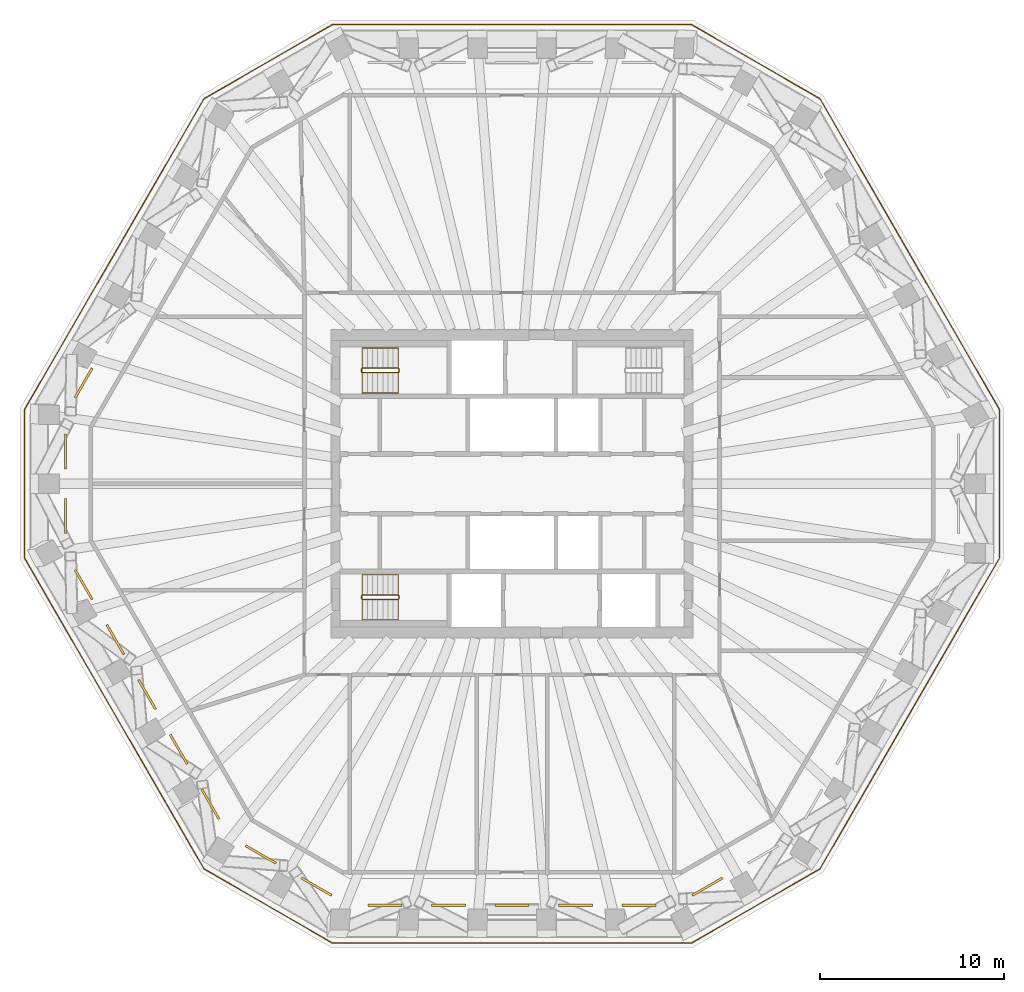
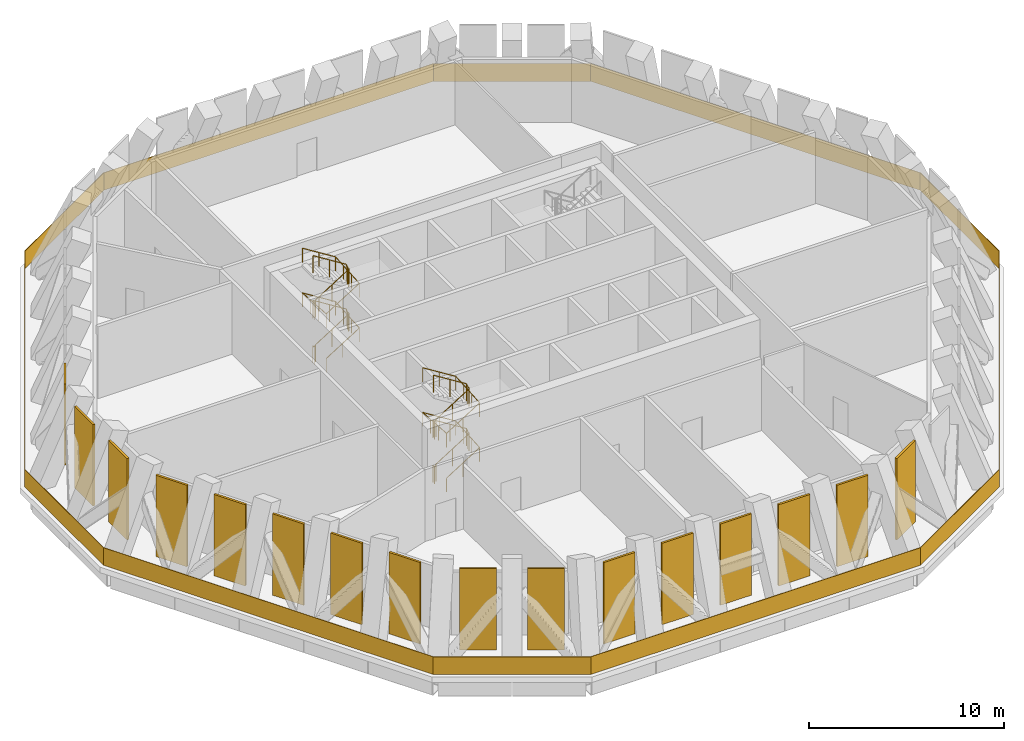
# One storey, part 7 of 8: 16 coverings, 5 railings.
"""IFC4 building model written with IfcOpenShell, lengths in metres."""

from ifc_helpers import new_model, si_unit, direction, frame, origin, origin_2d, place, context, subcontext, project, spatial, polyline, rectangle, circle, outline, extrude, material, layer, layer_set, type_object, element, save


model = new_model("IFC4")

# Units and contexts
model_context = context("Model", 3, precision=1e-05, world=origin(), true_north=direction((0.0, 1.0)))
body_context = subcontext(model_context, "Body", "Model", "MODEL_VIEW")
ifc_project = project(units=[si_unit("LENGTHUNIT", "METRE"), si_unit("AREAUNIT", "SQUARE_METRE"), si_unit("VOLUMEUNIT", "CUBIC_METRE"), si_unit("PLANEANGLEUNIT", "RADIAN"), si_unit("MASSUNIT", "GRAM", prefix="KILO")], contexts=[model_context])

# Site, building, storey
site_placement = place(None, origin())
site = spatial("IfcSite", under=ifc_project, at=site_placement, CompositionType="ELEMENT")
building_placement = place(site_placement, origin())
building = spatial("IfcBuilding", under=site, at=building_placement, Name="Frailejon Research Tower", CompositionType="ELEMENT")
storey_placement = place(building_placement, frame((0.0, 0.0, 257.39990234375)))
storey = spatial("IfcBuildingStorey", under=building, at=storey_placement, Name="L56", CompositionType="ELEMENT", Elevation=257.39990234375)

# Railing
ifc_material_1 = material(Name="Laminated glass balustrade", Category="glass")
railing_type_1 = type_object("IfcRailingType", Name="Glass guard 1100", PredefinedType="GUARDRAIL", material=ifc_material_1)
railing_1_placement = place(storey_placement, frame((26.537109375, -4.041748046875, 0.0)))
element("IfcRailing", 1, at=railing_1_placement, inside=storey, type_object=railing_type_1, Name="Plant gallery guard L56", PredefinedType="GUARDRAIL", context=body_context, shape_type="SweptSolid", body=[
    extrude(rectangle(XDim=8.08349609375, YDim=0.030029296875, at=origin_2d()), frame((0.0, 4.041748046875, 0.0), z_axis=(0.0, 0.0, 1.0), x_axis=(0.0, 1.0, 0.0)), (0.0, 0.0, 1.0), 1.10009765625),
    extrude(rectangle(XDim=19.536376953125, YDim=0.030029296875, at=origin_2d()), frame((-4.88427734375, 16.54296875, 0.0), z_axis=(0.0, 0.0, 1.0), x_axis=(-0.500005870429, 0.866022014464, 0.0)), (0.0, 0.0, 1.0), 1.10009765625),
    extrude(rectangle(XDim=8.08349609375, YDim=0.030029296875, at=origin_2d()), frame((-13.2685546875, 27.0234375, 0.0), z_axis=(0.0, 0.0, 1.0), x_axis=(-0.866011562111, 0.500023973715, 0.0)), (0.0, 0.0, 1.0), 1.10009765625),
    extrude(rectangle(XDim=19.53662109375, YDim=0.030029296875, at=origin_2d()), frame((-26.537109375, 29.04443359375, 0.0), z_axis=(0.0, 0.0, 1.0), x_axis=(-1.0, 0.0, 0.0)), (0.0, 0.0, 1.0), 1.10009765625),
    extrude(rectangle(XDim=8.08349609375, YDim=0.030029296875, at=origin_2d()), frame((-39.8056640625, 27.0234375, 0.0), z_axis=(0.0, 0.0, 1.0), x_axis=(-0.866011562111, -0.500023973715, 0.0)), (0.0, 0.0, 1.0), 1.10009765625),
    extrude(rectangle(XDim=19.536376953125, YDim=0.030029296875, at=origin_2d()), frame((-48.18994140625, 16.54296875, 0.0), z_axis=(0.0, 0.0, 1.0), x_axis=(-0.500005870429, -0.866022014464, 0.0)), (0.0, 0.0, 1.0), 1.10009765625),
    extrude(rectangle(XDim=8.08349609375, YDim=0.030029296875, at=origin_2d()), frame((-53.07421875, 4.041748046875, 0.0), z_axis=(0.0, 0.0, 1.0), x_axis=(0.0, -1.0, 0.0)), (0.0, 0.0, 1.0), 1.10009765625),
    extrude(rectangle(XDim=19.536376953125, YDim=0.030029296875, at=origin_2d()), frame((-48.18994140625, -8.45947265625, 0.0), z_axis=(0.0, 0.0, 1.0), x_axis=(0.500005870429, -0.866022014464, 0.0)), (0.0, 0.0, 1.0), 1.10009765625),
    extrude(rectangle(XDim=8.08349609375, YDim=0.030029296875, at=origin_2d()), frame((-39.8056640625, -18.93994140625, 0.0), z_axis=(0.0, 0.0, 1.0), x_axis=(0.866011562111, -0.500023973715, 0.0)), (0.0, 0.0, 1.0), 1.10009765625),
    extrude(rectangle(XDim=19.53662109375, YDim=0.030029296875, at=origin_2d()), frame((-26.537109375, -20.9609375, 0.0), z_axis=(0.0, 0.0, 1.0), x_axis=(1.0, 0.0, 0.0)), (0.0, 0.0, 1.0), 1.10009765625),
    extrude(rectangle(XDim=8.08349609375, YDim=0.030029296875, at=origin_2d()), frame((-13.2685546875, -18.93994140625, 0.0), z_axis=(0.0, 0.0, 1.0), x_axis=(0.866011562111, 0.500023973715, 0.0)), (0.0, 0.0, 1.0), 1.10009765625),
    extrude(rectangle(XDim=19.46630859375, YDim=0.030029296875, at=origin_2d()), frame((-4.90185546875, -8.48974609375, 0.0), z_axis=(0.0, 0.0, 1.0), x_axis=(0.4999982054, 0.866026439895, 0.0)), (0.0, 0.0, 1.0), 1.10009765625),
])

# Coverings
ifc_material_2 = material(Name="Anodised aluminium louvres", Category="aluminium")
ifc_layer = layer(ifc_material_2, 0.1201171875)
ifc_layer_set = layer_set([ifc_layer], Name="Plant louvre screen 120")
covering_type = type_object("IfcCoveringType", Name="Plant louvre screen 120", PredefinedType="CLADDING", material=ifc_layer_set)
covering_1_placement = place(storey_placement, frame((-23.8330078125, 4.7197265625, 0.0), z_axis=(0.499996648023, 0.86602733904, 0.0), x_axis=(-0.86602733904, 0.499996648023, 0.0)))
element("IfcCovering", 2, at=covering_1_placement, inside=storey, type_object=covering_type, Name="Plant louvre screen L56", PredefinedType="CLADDING", context=body_context, shape_type="SweptSolid", body=[
    extrude(outline(polyline([(-0.1201171875, 0.0), (0.0, 0.0), (0.0, 5.10009765625), (-0.1201171875, 5.10009765625), (-0.1201171875, 0.0)])), origin(), (0.0, 0.0, 1.0), 1.8515625),
])
for number, where, z_axis, x_axis, name in (
    (3, (-24.373779296875, 0.800048828125, 0.0), (0.0, 1.0, 0.0), (-1.0, 0.0, 0.0), "Plant louvre screen L56"),
    (4, (-24.373779296875, -2.701904296875, 0.0), (0.0, 1.0, 0.0), (-1.0, 0.0, 0.0), "Plant louvre screen L56"),
):
    element("IfcCovering", number, at=place(storey_placement, frame(where, z_axis=z_axis, x_axis=x_axis)), inside=storey, type_object=covering_type, Name=name, PredefinedType="CLADDING", context=body_context, shape_type="SweptSolid", body=[
        extrude(outline(polyline([(-0.1201171875, 0.0), (0.0, 0.0), (0.0, 5.10009765625), (-0.1201171875, 5.10009765625), (-0.1201171875, 0.0)])), origin(), (0.0, 0.0, 1.0), 1.902099609375),
    ])
for number, where, z_axis, x_axis, name in (
    (5, (-22.9072265625, -6.323486328125, 0.0), (-0.499996648023, 0.86602733904, 0.0), (-0.86602733904, -0.499996648023, 0.0), "Plant louvre screen L56"),
    (6, (-21.181396484375, -9.3125, 0.0), (-0.499996648023, 0.86602733904, 0.0), (-0.86602733904, -0.499996648023, 0.0), "Plant louvre screen L56"),
):
    element("IfcCovering", number, at=place(storey_placement, frame(where, z_axis=z_axis, x_axis=x_axis)), inside=storey, type_object=covering_type, Name=name, PredefinedType="CLADDING", context=body_context, shape_type="SweptSolid", body=[
        extrude(outline(polyline([(-0.1201171875, 0.0), (0.0, 0.0), (0.0, 5.10009765625), (-0.1201171875, 5.10009765625), (-0.1201171875, 0.0)])), origin(), (0.0, 0.0, 1.0), 1.8515625),
    ])
covering_2_placement = place(storey_placement, frame((-19.45556640625, -12.3017578125, 0.0), z_axis=(-0.500018376809, 0.866014793669, 0.0), x_axis=(-0.866014793669, -0.500018376809, 0.0)))
element("IfcCovering", 7, at=covering_2_placement, inside=storey, type_object=covering_type, Name="Plant louvre screen L56", PredefinedType="CLADDING", context=body_context, shape_type="SweptSolid", body=[
    extrude(outline(polyline([(-0.1201171875, 0.0), (0.0, 0.0), (0.0, 5.10009765625), (-0.1201171875, 5.10009765625), (-0.1201171875, 0.0)])), origin(), (0.0, 0.0, 1.0), 1.851806640625),
])
for number, where, z_axis, x_axis, name in (
    (8, (-17.729736328125, -15.291015625, 0.0), (-0.499996648023, 0.86602733904, 0.0), (-0.86602733904, -0.499996648023, 0.0), "Plant louvre screen L56"),
    (9, (-16.00390625, -18.2802734375, 0.0), (-0.499996648023, 0.86602733904, 0.0), (-0.86602733904, -0.499996648023, 0.0), "Plant louvre screen L56"),
):
    element("IfcCovering", number, at=place(storey_placement, frame(where, z_axis=z_axis, x_axis=x_axis)), inside=storey, type_object=covering_type, Name=name, PredefinedType="CLADDING", context=body_context, shape_type="SweptSolid", body=[
        extrude(outline(polyline([(-0.1201171875, 0.0), (0.0, 0.0), (0.0, 5.10009765625), (-0.1201171875, 5.10009765625), (-0.1201171875, 0.0)])), origin(), (0.0, 0.0, 1.0), 1.8515625),
    ])
for number, where, z_axis, x_axis, name in (
    (10, (-12.879638671875, -20.708251953125, 0.0), (-0.866023907216, 0.500002592124, 0.0), (-0.500002592124, -0.866023907216, 0.0), "Plant louvre screen L56"),
    (11, (-9.846923828125, -22.459228515625, 0.0), (-0.866023907216, 0.500002592124, 0.0), (-0.500002592124, -0.866023907216, 0.0), "Plant louvre screen L56"),
):
    element("IfcCovering", number, at=place(storey_placement, frame(where, z_axis=z_axis, x_axis=x_axis)), inside=storey, type_object=covering_type, Name=name, PredefinedType="CLADDING", context=body_context, shape_type="SweptSolid", body=[
        extrude(outline(polyline([(-0.1201171875, 0.0), (0.0, 0.0), (0.0, 5.10009765625), (-0.1201171875, 5.10009765625), (-0.1201171875, 0.0)])), origin(), (0.0, 0.0, 1.0), 1.902099609375),
    ])
covering_3_placement = place(storey_placement, frame((-5.9775390625, -23.0, 0.0), z_axis=(-1.0, 0.0, 0.0), x_axis=(0.0, -1.0, 0.0)))
element("IfcCovering", 12, at=covering_3_placement, inside=storey, type_object=covering_type, Name="Plant louvre screen L56", PredefinedType="CLADDING", context=body_context, shape_type="SweptSolid", body=[
    extrude(outline(polyline([(-0.1201171875, 0.0), (0.0, 0.0), (0.0, 5.10009765625), (-0.1201171875, 5.10009765625), (-0.1201171875, 0.0)])), origin(), (0.0, 0.0, 1.0), 1.8515625),
])
covering_4_placement = place(storey_placement, frame((-2.52587890625, -23.0, 0.0), z_axis=(-1.0, 0.0, 0.0), x_axis=(0.0, -1.0, 0.0)))
element("IfcCovering", 13, at=covering_4_placement, inside=storey, type_object=covering_type, Name="Plant louvre screen L56", PredefinedType="CLADDING", context=body_context, shape_type="SweptSolid", body=[
    extrude(outline(polyline([(-0.1201171875, 0.0), (0.0, 0.0), (0.0, 5.10009765625), (-0.1201171875, 5.10009765625), (-0.1201171875, 0.0)])), origin(), (0.0, 0.0, 1.0), 1.851806640625),
])
covering_5_placement = place(storey_placement, frame((0.92578125, -23.0, 0.0), z_axis=(-1.0, 0.0, 0.0), x_axis=(0.0, -1.0, 0.0)))
element("IfcCovering", 14, at=covering_5_placement, inside=storey, type_object=covering_type, Name="Plant louvre screen L56", PredefinedType="CLADDING", context=body_context, shape_type="SweptSolid", body=[
    extrude(outline(polyline([(-0.1201171875, 0.0), (0.0, 0.0), (0.0, 5.10009765625), (-0.1201171875, 5.10009765625), (-0.1201171875, 0.0)])), origin(), (0.0, 0.0, 1.0), 1.8515625),
])
covering_6_placement = place(storey_placement, frame((4.37744140625, -23.0, 0.0), z_axis=(-1.0, 0.0, 0.0), x_axis=(0.0, -1.0, 0.0)))
element("IfcCovering", 15, at=covering_6_placement, inside=storey, type_object=covering_type, Name="Plant louvre screen L56", PredefinedType="CLADDING", context=body_context, shape_type="SweptSolid", body=[
    extrude(outline(polyline([(-0.1201171875, 0.0), (0.0, 0.0), (0.0, 5.10009765625), (-0.1201171875, 5.10009765625), (-0.1201171875, 0.0)])), origin(), (0.0, 0.0, 1.0), 1.851806640625),
])
covering_7_placement = place(storey_placement, frame((7.8291015625, -23.0, 0.0), z_axis=(-1.0, 0.0, 0.0), x_axis=(0.0, -1.0, 0.0)))
element("IfcCovering", 16, at=covering_7_placement, inside=storey, type_object=covering_type, Name="Plant louvre screen L56", PredefinedType="CLADDING", context=body_context, shape_type="SweptSolid", body=[
    extrude(outline(polyline([(-0.1201171875, 0.0), (0.0, 0.0), (0.0, 5.10009765625), (-0.1201171875, 5.10009765625), (-0.1201171875, 0.0)])), origin(), (0.0, 0.0, 1.0), 1.8515625),
])
covering_8_placement = place(storey_placement, frame((11.494140625, -21.50830078125, 0.0), z_axis=(-0.866023907216, -0.500002592124, 0.0), x_axis=(0.500002592124, -0.866023907216, 0.0)))
element("IfcCovering", 17, at=covering_8_placement, inside=storey, type_object=covering_type, Name="Plant louvre screen L56", PredefinedType="CLADDING", context=body_context, shape_type="SweptSolid", body=[
    extrude(outline(polyline([(-0.1201171875, 0.0), (0.0, 0.0), (0.0, 5.10009765625), (-0.1201171875, 5.10009765625), (-0.1201171875, 0.0)])), origin(), (0.0, 0.0, 1.0), 1.902099609375),
])

# Railings
ifc_material_3 = material(Name="Stainless steel", Category="steel")
railing_type_2 = type_object("IfcRailingType", Name="Stair guard 1100", PredefinedType="GUARDRAIL", material=ifc_material_3)
railing_2_placement = place(storey_placement, frame((-8.199951171875, 6.25, 0.0)))
element("IfcRailing", 18, at=railing_2_placement, inside=storey, type_object=railing_type_2, Name="L56 ST1 stair guard 1", PredefinedType="GUARDRAIL", context=body_context, shape_type="SweptSolid", body=[
    extrude(circle(Radius=0.02392578125, at=origin_2d()), frame((0.0, 0.0, 1.076171875), z_axis=(0.0, -1.0, 0.0), x_axis=(1.0, 0.0, 0.0)), (0.0, 0.0, 1.0), 0.14990234375),
    extrude(circle(Radius=0.02392578125, at=origin_2d()), frame((0.0, -0.14990234375, 1.076171875), z_axis=(0.265065253269, -0.265065253269, 0.927081885822), x_axis=(0.707106781187, 0.707106781187, 0.0)), (0.0, 0.0, 1.0), 0.188720703125),
    extrude(circle(Radius=0.02392578125, at=origin_2d()), frame((0.050048828125, -0.199951171875, 1.2509765625), z_axis=(0.847974566722, 0.0, 0.530036917764), x_axis=(0.0, 1.0, 0.0)), (0.0, 0.0, 1.0), 2.311279296875),
    extrude(circle(Radius=0.02392578125, at=origin_2d()), frame((2.010009765625, -0.199951171875, 2.47607421875), z_axis=(0.707106781187, 0.707106781187, 0.0), x_axis=(-0.707106781187, 0.707106781187, 0.0)), (0.0, 0.0, 1.0), 0.07080078125),
    extrude(circle(Radius=0.02392578125, at=origin_2d()), frame((2.06005859375, -0.14990234375, 2.47607421875), z_axis=(0.0, 1.0, 0.0), x_axis=(-1.0, 0.0, 0.0)), (0.0, 0.0, 1.0), 0.14990234375),
    extrude(circle(Radius=0.02392578125, at=origin_2d()), frame((2.06005859375, 0.0, 2.47607421875), z_axis=(-0.265065253269, 0.265065253269, 0.927081885822), x_axis=(-0.707106781187, -0.707106781187, 0.0)), (0.0, 0.0, 1.0), 0.188720703125),
    extrude(circle(Radius=0.02392578125, at=origin_2d()), frame((2.010009765625, 0.050048828125, 2.6513671875), z_axis=(-0.848022040916, 0.0, 0.529960959053), x_axis=(0.0, -1.0, 0.0)), (0.0, 0.0, 1.0), 2.311279296875),
    extrude(circle(Radius=0.02392578125, at=origin_2d()), frame((0.050048828125, 0.050048828125, 3.8759765625), z_axis=(-0.707106781187, -0.707106781187, 0.0), x_axis=(0.707106781187, -0.707106781187, 0.0)), (0.0, 0.0, 1.0), 0.07080078125),
    extrude(circle(Radius=0.02392578125, at=origin_2d()), frame((0.0, 0.0, 3.8759765625), z_axis=(0.0, -1.0, 0.0), x_axis=(1.0, 0.0, 0.0)), (0.0, 0.0, 1.0), 0.14990234375),
    extrude(circle(Radius=0.02392578125, at=origin_2d()), frame((0.0, -0.14990234375, 3.8759765625), z_axis=(0.265065253269, -0.265065253269, 0.927081885822), x_axis=(0.707106781187, 0.707106781187, 0.0)), (0.0, 0.0, 1.0), 0.188720703125),
    extrude(circle(Radius=0.02392578125, at=origin_2d()), frame((0.050048828125, -0.199951171875, 4.05126953125), z_axis=(0.847974566722, 0.0, 0.530036917764), x_axis=(0.0, 1.0, 0.0)), (0.0, 0.0, 1.0), 2.311279296875),
    extrude(circle(Radius=0.02392578125, at=origin_2d()), frame((2.010009765625, -0.199951171875, 5.2763671875), z_axis=(0.707106781187, 0.707106781187, 0.0), x_axis=(-0.707106781187, 0.707106781187, 0.0)), (0.0, 0.0, 1.0), 0.07080078125),
    extrude(circle(Radius=0.02392578125, at=origin_2d()), frame((2.06005859375, -0.14990234375, 5.2763671875), z_axis=(0.0, 1.0, 0.0), x_axis=(-1.0, 0.0, 0.0)), (0.0, 0.0, 1.0), 0.14990234375),
    extrude(circle(Radius=0.02392578125, at=origin_2d()), frame((2.06005859375, 0.0, 5.2763671875), z_axis=(-0.265383341853, 0.265383341853, 0.926899867156), x_axis=(-0.707106781187, -0.707106781187, 0.0)), (0.0, 0.0, 1.0), 0.1884765625),
    extrude(circle(Radius=0.02392578125, at=origin_2d()), frame((2.010009765625, 0.050048828125, 5.451171875), z_axis=(-0.847974566722, 0.0, 0.530036917764), x_axis=(0.0, -1.0, 0.0)), (0.0, 0.0, 1.0), 2.311279296875),
    extrude(circle(Radius=0.02099609375, at=origin_2d()), origin(), (0.0, 0.0, 1.0), 1.052001953125),
    extrude(circle(Radius=0.02099609375, at=origin_2d()), frame((0.0, -0.14990234375, 0.0)), (0.0, 0.0, 1.0), 1.052001953125),
    extrude(circle(Radius=0.02099609375, at=origin_2d()), frame((0.050048828125, -0.199951171875, 0.175048828125)), (0.0, 0.0, 1.0), 1.052001953125),
    extrude(circle(Radius=0.02099609375, at=origin_2d()), frame((1.030029296875, -0.199951171875, 0.78759765625)), (0.0, 0.0, 1.0), 1.052001953125),
    extrude(circle(Radius=0.02099609375, at=origin_2d()), frame((2.010009765625, -0.199951171875, 1.400146484375)), (0.0, 0.0, 1.0), 1.052001953125),
    extrude(circle(Radius=0.02099609375, at=origin_2d()), frame((2.06005859375, -0.14990234375, 1.400146484375)), (0.0, 0.0, 1.0), 1.052001953125),
    extrude(circle(Radius=0.02099609375, at=origin_2d()), frame((2.06005859375, 0.0, 1.400146484375)), (0.0, 0.0, 1.0), 1.052001953125),
    extrude(circle(Radius=0.02099609375, at=origin_2d()), frame((2.010009765625, 0.050048828125, 1.5751953125)), (0.0, 0.0, 1.0), 1.052001953125),
    extrude(circle(Radius=0.02099609375, at=origin_2d()), frame((1.030029296875, 0.050048828125, 2.1875)), (0.0, 0.0, 1.0), 1.052001953125),
    extrude(circle(Radius=0.02099609375, at=origin_2d()), frame((0.050048828125, 0.050048828125, 2.800048828125)), (0.0, 0.0, 1.0), 1.052001953125),
    extrude(circle(Radius=0.02099609375, at=origin_2d()), frame((0.0, 0.0, 2.800048828125)), (0.0, 0.0, 1.0), 1.052001953125),
    extrude(circle(Radius=0.02099609375, at=origin_2d()), frame((0.0, -0.14990234375, 2.800048828125)), (0.0, 0.0, 1.0), 1.052001953125),
    extrude(circle(Radius=0.02099609375, at=origin_2d()), frame((0.050048828125, -0.199951171875, 2.97509765625)), (0.0, 0.0, 1.0), 1.052001953125),
    extrude(circle(Radius=0.02099609375, at=origin_2d()), frame((1.030029296875, -0.199951171875, 3.587646484375)), (0.0, 0.0, 1.0), 1.052001953125),
    extrude(circle(Radius=0.02099609375, at=origin_2d()), frame((2.010009765625, -0.199951171875, 4.2001953125)), (0.0, 0.0, 1.0), 1.052001953125),
    extrude(circle(Radius=0.02099609375, at=origin_2d()), frame((2.06005859375, -0.14990234375, 4.2001953125)), (0.0, 0.0, 1.0), 1.052001953125),
    extrude(circle(Radius=0.02099609375, at=origin_2d()), frame((2.06005859375, 0.0, 4.2001953125)), (0.0, 0.0, 1.0), 1.052001953125),
    extrude(circle(Radius=0.02099609375, at=origin_2d()), frame((2.010009765625, 0.050048828125, 4.375)), (0.0, 0.0, 1.0), 1.052001953125),
    extrude(circle(Radius=0.02099609375, at=origin_2d()), frame((1.030029296875, 0.050048828125, 4.987548828125)), (0.0, 0.0, 1.0), 1.052001953125),
    extrude(circle(Radius=0.02099609375, at=origin_2d()), frame((0.050048828125, 0.050048828125, 5.60009765625)), (0.0, 0.0, 1.0), 1.052001953125),
])
railing_3_placement = place(storey_placement, frame((-8.199951171875, -6.10009765625, 0.0)))
element("IfcRailing", 19, at=railing_3_placement, inside=storey, type_object=railing_type_2, Name="L56 ST2 stair guard 1", PredefinedType="GUARDRAIL", context=body_context, shape_type="SweptSolid", body=[
    extrude(circle(Radius=0.02392578125, at=origin_2d()), frame((0.0, 0.0, 1.076171875), z_axis=(0.0, -1.0, 0.0), x_axis=(1.0, 0.0, 0.0)), (0.0, 0.0, 1.0), 0.14990234375),
    extrude(circle(Radius=0.02392578125, at=origin_2d()), frame((0.0, -0.14990234375, 1.076171875), z_axis=(0.265065253269, -0.265065253269, 0.927081885822), x_axis=(0.707106781187, 0.707106781187, 0.0)), (0.0, 0.0, 1.0), 0.188720703125),
    extrude(circle(Radius=0.02392578125, at=origin_2d()), frame((0.050048828125, -0.199951171875, 1.2509765625), z_axis=(0.847974566722, 0.0, 0.530036917764), x_axis=(0.0, 1.0, 0.0)), (0.0, 0.0, 1.0), 2.311279296875),
    extrude(circle(Radius=0.02392578125, at=origin_2d()), frame((2.010009765625, -0.199951171875, 2.47607421875), z_axis=(0.707106781187, 0.707106781187, 0.0), x_axis=(-0.707106781187, 0.707106781187, 0.0)), (0.0, 0.0, 1.0), 0.07080078125),
    extrude(circle(Radius=0.02392578125, at=origin_2d()), frame((2.06005859375, -0.14990234375, 2.47607421875), z_axis=(0.0, 1.0, 0.0), x_axis=(-1.0, 0.0, 0.0)), (0.0, 0.0, 1.0), 0.14990234375),
    extrude(circle(Radius=0.02392578125, at=origin_2d()), frame((2.06005859375, 0.0, 2.47607421875), z_axis=(-0.265065253269, 0.265065253269, 0.927081885822), x_axis=(-0.707106781187, -0.707106781187, 0.0)), (0.0, 0.0, 1.0), 0.188720703125),
    extrude(circle(Radius=0.02392578125, at=origin_2d()), frame((2.010009765625, 0.050048828125, 2.6513671875), z_axis=(-0.848022040916, 0.0, 0.529960959053), x_axis=(0.0, -1.0, 0.0)), (0.0, 0.0, 1.0), 2.311279296875),
    extrude(circle(Radius=0.02392578125, at=origin_2d()), frame((0.050048828125, 0.050048828125, 3.8759765625), z_axis=(-0.707106781187, -0.707106781187, 0.0), x_axis=(0.707106781187, -0.707106781187, 0.0)), (0.0, 0.0, 1.0), 0.07080078125),
    extrude(circle(Radius=0.02392578125, at=origin_2d()), frame((0.0, 0.0, 3.8759765625), z_axis=(0.0, -1.0, 0.0), x_axis=(1.0, 0.0, 0.0)), (0.0, 0.0, 1.0), 0.14990234375),
    extrude(circle(Radius=0.02392578125, at=origin_2d()), frame((0.0, -0.14990234375, 3.8759765625), z_axis=(0.265065253269, -0.265065253269, 0.927081885822), x_axis=(0.707106781187, 0.707106781187, 0.0)), (0.0, 0.0, 1.0), 0.188720703125),
    extrude(circle(Radius=0.02392578125, at=origin_2d()), frame((0.050048828125, -0.199951171875, 4.05126953125), z_axis=(0.847974566722, 0.0, 0.530036917764), x_axis=(0.0, 1.0, 0.0)), (0.0, 0.0, 1.0), 2.311279296875),
    extrude(circle(Radius=0.02392578125, at=origin_2d()), frame((2.010009765625, -0.199951171875, 5.2763671875), z_axis=(0.707106781187, 0.707106781187, 0.0), x_axis=(-0.707106781187, 0.707106781187, 0.0)), (0.0, 0.0, 1.0), 0.07080078125),
    extrude(circle(Radius=0.02392578125, at=origin_2d()), frame((2.06005859375, -0.14990234375, 5.2763671875), z_axis=(0.0, 1.0, 0.0), x_axis=(-1.0, 0.0, 0.0)), (0.0, 0.0, 1.0), 0.14990234375),
    extrude(circle(Radius=0.02392578125, at=origin_2d()), frame((2.06005859375, 0.0, 5.2763671875), z_axis=(-0.265383341853, 0.265383341853, 0.926899867156), x_axis=(-0.707106781187, -0.707106781187, 0.0)), (0.0, 0.0, 1.0), 0.1884765625),
    extrude(circle(Radius=0.02392578125, at=origin_2d()), frame((2.010009765625, 0.050048828125, 5.451171875), z_axis=(-0.847974566722, 0.0, 0.530036917764), x_axis=(0.0, -1.0, 0.0)), (0.0, 0.0, 1.0), 2.311279296875),
    extrude(circle(Radius=0.02099609375, at=origin_2d()), origin(), (0.0, 0.0, 1.0), 1.052001953125),
    extrude(circle(Radius=0.02099609375, at=origin_2d()), frame((0.0, -0.14990234375, 0.0)), (0.0, 0.0, 1.0), 1.052001953125),
    extrude(circle(Radius=0.02099609375, at=origin_2d()), frame((0.050048828125, -0.199951171875, 0.175048828125)), (0.0, 0.0, 1.0), 1.052001953125),
    extrude(circle(Radius=0.02099609375, at=origin_2d()), frame((1.030029296875, -0.199951171875, 0.78759765625)), (0.0, 0.0, 1.0), 1.052001953125),
    extrude(circle(Radius=0.02099609375, at=origin_2d()), frame((2.010009765625, -0.199951171875, 1.400146484375)), (0.0, 0.0, 1.0), 1.052001953125),
    extrude(circle(Radius=0.02099609375, at=origin_2d()), frame((2.06005859375, -0.14990234375, 1.400146484375)), (0.0, 0.0, 1.0), 1.052001953125),
    extrude(circle(Radius=0.02099609375, at=origin_2d()), frame((2.06005859375, 0.0, 1.400146484375)), (0.0, 0.0, 1.0), 1.052001953125),
    extrude(circle(Radius=0.02099609375, at=origin_2d()), frame((2.010009765625, 0.050048828125, 1.5751953125)), (0.0, 0.0, 1.0), 1.052001953125),
    extrude(circle(Radius=0.02099609375, at=origin_2d()), frame((1.030029296875, 0.050048828125, 2.1875)), (0.0, 0.0, 1.0), 1.052001953125),
    extrude(circle(Radius=0.02099609375, at=origin_2d()), frame((0.050048828125, 0.050048828125, 2.800048828125)), (0.0, 0.0, 1.0), 1.052001953125),
    extrude(circle(Radius=0.02099609375, at=origin_2d()), frame((0.0, 0.0, 2.800048828125)), (0.0, 0.0, 1.0), 1.052001953125),
    extrude(circle(Radius=0.02099609375, at=origin_2d()), frame((0.0, -0.14990234375, 2.800048828125)), (0.0, 0.0, 1.0), 1.052001953125),
    extrude(circle(Radius=0.02099609375, at=origin_2d()), frame((0.050048828125, -0.199951171875, 2.97509765625)), (0.0, 0.0, 1.0), 1.052001953125),
    extrude(circle(Radius=0.02099609375, at=origin_2d()), frame((1.030029296875, -0.199951171875, 3.587646484375)), (0.0, 0.0, 1.0), 1.052001953125),
    extrude(circle(Radius=0.02099609375, at=origin_2d()), frame((2.010009765625, -0.199951171875, 4.2001953125)), (0.0, 0.0, 1.0), 1.052001953125),
    extrude(circle(Radius=0.02099609375, at=origin_2d()), frame((2.06005859375, -0.14990234375, 4.2001953125)), (0.0, 0.0, 1.0), 1.052001953125),
    extrude(circle(Radius=0.02099609375, at=origin_2d()), frame((2.06005859375, 0.0, 4.2001953125)), (0.0, 0.0, 1.0), 1.052001953125),
    extrude(circle(Radius=0.02099609375, at=origin_2d()), frame((2.010009765625, 0.050048828125, 4.375)), (0.0, 0.0, 1.0), 1.052001953125),
    extrude(circle(Radius=0.02099609375, at=origin_2d()), frame((1.030029296875, 0.050048828125, 4.987548828125)), (0.0, 0.0, 1.0), 1.052001953125),
    extrude(circle(Radius=0.02099609375, at=origin_2d()), frame((0.050048828125, 0.050048828125, 5.60009765625)), (0.0, 0.0, 1.0), 1.052001953125),
])
ifc_material_4 = material(Name="Stainless steel", Category="steel")
railing_type_3 = type_object("IfcRailingType", Name="Stair handrail 900", PredefinedType="HANDRAIL", material=ifc_material_4)
railing_4_placement = place(storey_placement, frame((-8.14990234375, 4.949951171875, 0.175048828125)))
element("IfcRailing", 20, at=railing_4_placement, inside=storey, type_object=railing_type_3, Name="L56 ST1 stair handrail 1", PredefinedType="HANDRAIL", context=body_context, shape_type="SweptSolid", body=[
    extrude(circle(Radius=0.02392578125, at=origin_2d()), frame((0.0, 0.0, 0.8759765625), z_axis=(0.847974566722, 0.0, 0.530036917764), x_axis=(0.0, 1.0, 0.0)), (0.0, 0.0, 1.0), 2.311279296875),
    extrude(circle(Radius=0.02392578125, at=origin_2d()), frame((1.9599609375, 0.0, 2.10107421875), z_axis=(0.0, 0.997457185933, 0.071268241387), x_axis=(-1.0, 0.0, 0.0)), (0.0, 0.0, 1.0), 2.456298828125),
    extrude(circle(Radius=0.02392578125, at=origin_2d()), frame((1.9599609375, 2.449951171875, 2.27587890625), z_axis=(-0.848022040916, 0.0, 0.529960959053), x_axis=(0.0, -1.0, 0.0)), (0.0, 0.0, 1.0), 2.311279296875),
    extrude(circle(Radius=0.02392578125, at=origin_2d()), frame((0.0, 2.449951171875, 3.5009765625), z_axis=(0.0, -0.997457185933, 0.071268241387), x_axis=(1.0, 0.0, 0.0)), (0.0, 0.0, 1.0), 2.456298828125),
    extrude(circle(Radius=0.02392578125, at=origin_2d()), frame((0.0, 0.0, 3.67578125), z_axis=(0.847974566722, 0.0, 0.530036917764), x_axis=(0.0, 1.0, 0.0)), (0.0, 0.0, 1.0), 2.311279296875),
    extrude(circle(Radius=0.02392578125, at=origin_2d()), frame((1.9599609375, 0.0, 4.90087890625), z_axis=(0.0, 0.997464246976, 0.071169347368), x_axis=(-1.0, 0.0, 0.0)), (0.0, 0.0, 1.0), 2.456298828125),
    extrude(circle(Radius=0.02392578125, at=origin_2d()), frame((1.9599609375, 2.449951171875, 5.07568359375), z_axis=(-0.847974566722, 0.0, 0.530036917764), x_axis=(0.0, -1.0, 0.0)), (0.0, 0.0, 1.0), 2.311279296875),
    extrude(circle(Radius=0.02099609375, at=origin_2d()), origin(), (0.0, 0.0, 1.0), 0.851806640625),
    extrude(circle(Radius=0.02099609375, at=origin_2d()), frame((0.97998046875, 0.0, 0.612548828125)), (0.0, 0.0, 1.0), 0.851806640625),
    extrude(circle(Radius=0.02099609375, at=origin_2d()), frame((1.9599609375, 0.0, 1.22509765625)), (0.0, 0.0, 1.0), 0.851806640625),
    extrude(circle(Radius=0.02099609375, at=origin_2d()), frame((1.9599609375, 0.816650390625, 1.283447265625)), (0.0, 0.0, 1.0), 0.851806640625),
    extrude(circle(Radius=0.02099609375, at=origin_2d()), frame((1.9599609375, 1.63330078125, 1.341796875)), (0.0, 0.0, 1.0), 0.851806640625),
    extrude(circle(Radius=0.02099609375, at=origin_2d()), frame((1.9599609375, 2.449951171875, 1.400146484375)), (0.0, 0.0, 1.0), 0.851806640625),
    extrude(circle(Radius=0.02099609375, at=origin_2d()), frame((0.97998046875, 2.449951171875, 2.0126953125)), (0.0, 0.0, 1.0), 0.851806640625),
    extrude(circle(Radius=0.02099609375, at=origin_2d()), frame((0.0, 2.449951171875, 2.625)), (0.0, 0.0, 1.0), 0.851806640625),
    extrude(circle(Radius=0.02099609375, at=origin_2d()), frame((0.0, 1.63330078125, 2.683349609375)), (0.0, 0.0, 1.0), 0.851806640625),
    extrude(circle(Radius=0.02099609375, at=origin_2d()), frame((0.0, 0.816650390625, 2.74169921875)), (0.0, 0.0, 1.0), 0.851806640625),
    extrude(circle(Radius=0.02099609375, at=origin_2d()), frame((0.0, 0.0, 2.800048828125)), (0.0, 0.0, 1.0), 0.851806640625),
    extrude(circle(Radius=0.02099609375, at=origin_2d()), frame((0.97998046875, 0.0, 3.41259765625)), (0.0, 0.0, 1.0), 0.851806640625),
    extrude(circle(Radius=0.02099609375, at=origin_2d()), frame((1.9599609375, 0.0, 4.025146484375)), (0.0, 0.0, 1.0), 0.851806640625),
    extrude(circle(Radius=0.02099609375, at=origin_2d()), frame((1.9599609375, 0.816650390625, 4.08349609375)), (0.0, 0.0, 1.0), 0.851806640625),
    extrude(circle(Radius=0.02099609375, at=origin_2d()), frame((1.9599609375, 1.63330078125, 4.1416015625)), (0.0, 0.0, 1.0), 0.851806640625),
    extrude(circle(Radius=0.02099609375, at=origin_2d()), frame((1.9599609375, 2.449951171875, 4.199951171875)), (0.0, 0.0, 1.0), 0.851806640625),
    extrude(circle(Radius=0.02099609375, at=origin_2d()), frame((0.97998046875, 2.449951171875, 4.8125)), (0.0, 0.0, 1.0), 0.851806640625),
    extrude(circle(Radius=0.02099609375, at=origin_2d()), frame((0.0, 2.449951171875, 5.425048828125)), (0.0, 0.0, 1.0), 0.851806640625),
])
railing_5_placement = place(storey_placement, frame((-8.14990234375, -7.39990234375, 0.175048828125)))
element("IfcRailing", 21, at=railing_5_placement, inside=storey, type_object=railing_type_3, Name="L56 ST2 stair handrail 1", PredefinedType="HANDRAIL", context=body_context, shape_type="SweptSolid", body=[
    extrude(circle(Radius=0.02392578125, at=origin_2d()), frame((0.0, 0.0, 0.8759765625), z_axis=(0.847974566722, 0.0, 0.530036917764), x_axis=(0.0, 1.0, 0.0)), (0.0, 0.0, 1.0), 2.311279296875),
    extrude(circle(Radius=0.02392578125, at=origin_2d()), frame((1.9599609375, 0.0, 2.10107421875), z_axis=(0.0, 0.997457185933, 0.071268241387), x_axis=(-1.0, 0.0, 0.0)), (0.0, 0.0, 1.0), 2.456298828125),
    extrude(circle(Radius=0.02392578125, at=origin_2d()), frame((1.9599609375, 2.449951171875, 2.27587890625), z_axis=(-0.848022040916, 0.0, 0.529960959053), x_axis=(0.0, -1.0, 0.0)), (0.0, 0.0, 1.0), 2.311279296875),
    extrude(circle(Radius=0.02392578125, at=origin_2d()), frame((0.0, 2.449951171875, 3.5009765625), z_axis=(0.0, -0.997457185933, 0.071268241387), x_axis=(1.0, 0.0, 0.0)), (0.0, 0.0, 1.0), 2.456298828125),
    extrude(circle(Radius=0.02392578125, at=origin_2d()), frame((0.0, 0.0, 3.67578125), z_axis=(0.847974566722, 0.0, 0.530036917764), x_axis=(0.0, 1.0, 0.0)), (0.0, 0.0, 1.0), 2.311279296875),
    extrude(circle(Radius=0.02392578125, at=origin_2d()), frame((1.9599609375, 0.0, 4.90087890625), z_axis=(0.0, 0.997464246976, 0.071169347368), x_axis=(-1.0, 0.0, 0.0)), (0.0, 0.0, 1.0), 2.456298828125),
    extrude(circle(Radius=0.02392578125, at=origin_2d()), frame((1.9599609375, 2.449951171875, 5.07568359375), z_axis=(-0.847974566722, 0.0, 0.530036917764), x_axis=(0.0, -1.0, 0.0)), (0.0, 0.0, 1.0), 2.311279296875),
    extrude(circle(Radius=0.02099609375, at=origin_2d()), origin(), (0.0, 0.0, 1.0), 0.851806640625),
    extrude(circle(Radius=0.02099609375, at=origin_2d()), frame((0.97998046875, 0.0, 0.612548828125)), (0.0, 0.0, 1.0), 0.851806640625),
    extrude(circle(Radius=0.02099609375, at=origin_2d()), frame((1.9599609375, 0.0, 1.22509765625)), (0.0, 0.0, 1.0), 0.851806640625),
    extrude(circle(Radius=0.02099609375, at=origin_2d()), frame((1.9599609375, 0.816650390625, 1.283447265625)), (0.0, 0.0, 1.0), 0.851806640625),
    extrude(circle(Radius=0.02099609375, at=origin_2d()), frame((1.9599609375, 1.63330078125, 1.341796875)), (0.0, 0.0, 1.0), 0.851806640625),
    extrude(circle(Radius=0.02099609375, at=origin_2d()), frame((1.9599609375, 2.449951171875, 1.400146484375)), (0.0, 0.0, 1.0), 0.851806640625),
    extrude(circle(Radius=0.02099609375, at=origin_2d()), frame((0.97998046875, 2.449951171875, 2.0126953125)), (0.0, 0.0, 1.0), 0.851806640625),
    extrude(circle(Radius=0.02099609375, at=origin_2d()), frame((0.0, 2.449951171875, 2.625)), (0.0, 0.0, 1.0), 0.851806640625),
    extrude(circle(Radius=0.02099609375, at=origin_2d()), frame((0.0, 1.63330078125, 2.683349609375)), (0.0, 0.0, 1.0), 0.851806640625),
    extrude(circle(Radius=0.02099609375, at=origin_2d()), frame((0.0, 0.816650390625, 2.74169921875)), (0.0, 0.0, 1.0), 0.851806640625),
    extrude(circle(Radius=0.02099609375, at=origin_2d()), frame((0.0, 0.0, 2.800048828125)), (0.0, 0.0, 1.0), 0.851806640625),
    extrude(circle(Radius=0.02099609375, at=origin_2d()), frame((0.97998046875, 0.0, 3.41259765625)), (0.0, 0.0, 1.0), 0.851806640625),
    extrude(circle(Radius=0.02099609375, at=origin_2d()), frame((1.9599609375, 0.0, 4.025146484375)), (0.0, 0.0, 1.0), 0.851806640625),
    extrude(circle(Radius=0.02099609375, at=origin_2d()), frame((1.9599609375, 0.816650390625, 4.08349609375)), (0.0, 0.0, 1.0), 0.851806640625),
    extrude(circle(Radius=0.02099609375, at=origin_2d()), frame((1.9599609375, 1.63330078125, 4.1416015625)), (0.0, 0.0, 1.0), 0.851806640625),
    extrude(circle(Radius=0.02099609375, at=origin_2d()), frame((1.9599609375, 2.449951171875, 4.199951171875)), (0.0, 0.0, 1.0), 0.851806640625),
    extrude(circle(Radius=0.02099609375, at=origin_2d()), frame((0.97998046875, 2.449951171875, 4.8125)), (0.0, 0.0, 1.0), 0.851806640625),
    extrude(circle(Radius=0.02099609375, at=origin_2d()), frame((0.0, 2.449951171875, 5.425048828125)), (0.0, 0.0, 1.0), 0.851806640625),
])

save(model, "model.ifc")
